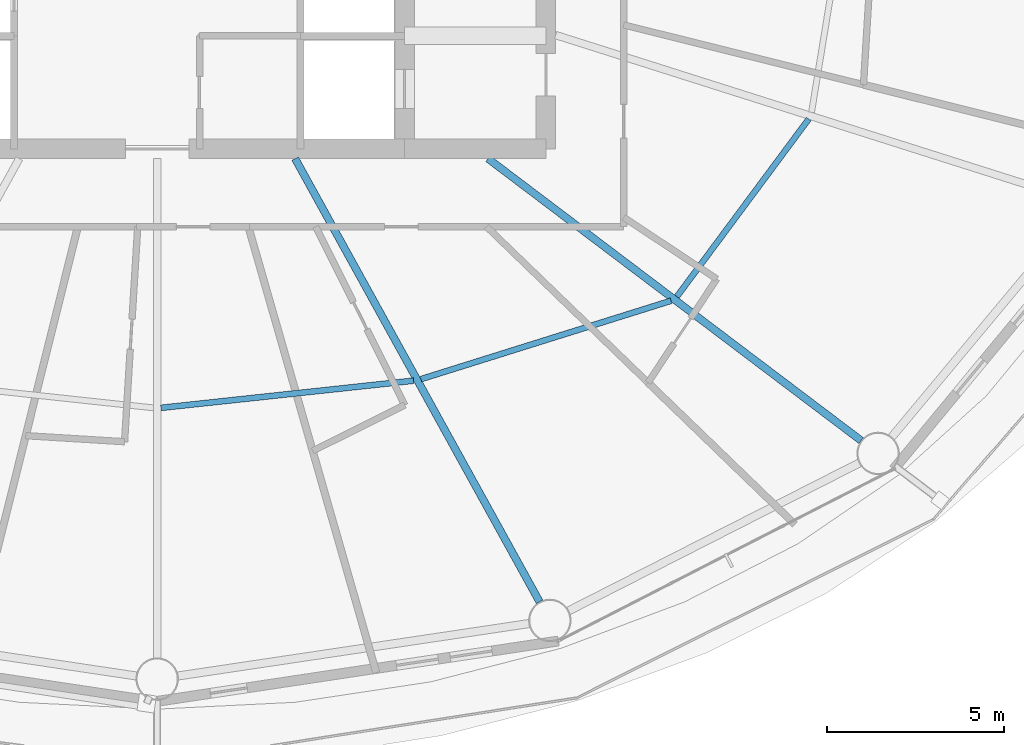
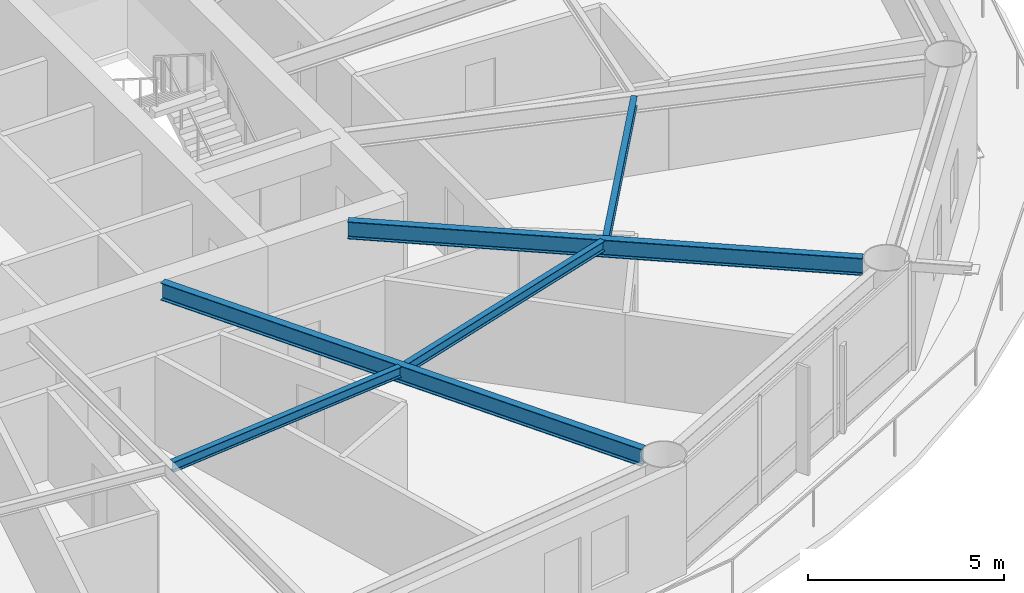
# One storey, part 5 of 24: 5 beams.
"""IFC4 building model written with IfcOpenShell, lengths in metres."""

from ifc_helpers import new_model, si_unit, direction, frame, origin, origin_2d, place, context, subcontext, project, spatial, i_section, extrude, material, material_profile, profile_set, type_object, element, save


model = new_model("IFC4")

# Units and contexts
model_context = context("Model", 3, precision=1e-05, world=origin(), true_north=direction((0.0, 1.0)))
body_context = subcontext(model_context, "Body", "Model", "MODEL_VIEW")
ifc_project = project(units=[si_unit("LENGTHUNIT", "METRE"), si_unit("AREAUNIT", "SQUARE_METRE"), si_unit("VOLUMEUNIT", "CUBIC_METRE"), si_unit("PLANEANGLEUNIT", "RADIAN"), si_unit("MASSUNIT", "GRAM", prefix="KILO")], contexts=[model_context])

# Site, building, storey
site_placement = place(None, origin())
site = spatial("IfcSite", under=ifc_project, at=site_placement, CompositionType="ELEMENT")
building_placement = place(site_placement, origin())
building = spatial("IfcBuilding", under=site, at=building_placement, Name="Sarneth Arch Tower", CompositionType="ELEMENT")
storey_placement = place(building_placement, frame((0.0, 0.0, 98.39990234375)))
storey = spatial("IfcBuildingStorey", under=building, at=storey_placement, Name="L24", CompositionType="ELEMENT", Elevation=98.39990234375)

# Beams
ifc_material_1 = material(Name="Steel S355", Category="steel")
ifc_material_profile_1 = material_profile(ifc_material_1, i_section(OverallWidth=0.1669921875, OverallDepth=0.31689453125, WebThickness=0.007568359375, FlangeThickness=0.01318359375, FilletRadius=0.012939453125, at=origin_2d()), Name="W310x52")
ifc_profile_set_1 = profile_set([ifc_material_profile_1], Name="Steel S355")
beam_type_1 = type_object("IfcBeamType", Name="BM-JOIST-310B", PredefinedType="JOIST", material=ifc_profile_set_1)
beam_1_placement = place(storey_placement, frame((48.10498046875, 27.873779296875, 3.2216796875), z_axis=(0.994257420028, 0.107014871487, 0.0), x_axis=(-0.107014871487, 0.994257420028, 0.0)))
element("IfcBeam", 1, at=beam_1_placement, inside=storey, type_object=beam_type_1, Name="L24 Secondary floor joist 13", PredefinedType="JOIST", context=body_context, shape_type="SweptSolid", body=[
    extrude(i_section(OverallWidth=0.1669921875, OverallDepth=0.31689453125, WebThickness=0.007568359375, FlangeThickness=0.01318359375, FilletRadius=0.012939453125, at=origin_2d()), origin(), (0.0, 0.0, 1.0), 7.193115234375),
])
beam_2_placement = place(storey_placement, frame((55.46240234375, 28.6865234375, 3.2216796875), z_axis=(0.954245982384, 0.299022750146, 0.0), x_axis=(-0.299022750146, 0.954245982384, 0.0)))
element("IfcBeam", 2, at=beam_2_placement, inside=storey, type_object=beam_type_1, Name="L24 Secondary floor joist 14", PredefinedType="JOIST", context=body_context, shape_type="SweptSolid", body=[
    extrude(i_section(OverallWidth=0.1669921875, OverallDepth=0.31689453125, WebThickness=0.007568359375, FlangeThickness=0.01318359375, FilletRadius=0.012939453125, at=origin_2d()), origin(), (0.0, 0.0, 1.0), 7.416748046875),
])
beam_3_placement = place(storey_placement, frame((62.703369140625, 31.0205078125, 3.2216796875), z_axis=(0.596098474255, 0.802911333206, 0.0), x_axis=(-0.802911333206, 0.596098474255, 0.0)))
element("IfcBeam", 3, at=beam_3_placement, inside=storey, type_object=beam_type_1, Name="L24 Secondary floor joist 15", PredefinedType="JOIST", context=body_context, shape_type="SweptSolid", body=[
    extrude(i_section(OverallWidth=0.1669921875, OverallDepth=0.31689453125, WebThickness=0.007568359375, FlangeThickness=0.01318359375, FilletRadius=0.012939453125, at=origin_2d()), origin(), (0.0, 0.0, 1.0), 6.259033203125),
])
ifc_material_2 = material(Name="Steel S355", Category="steel")
ifc_material_profile_2 = material_profile(ifc_material_2, i_section(OverallWidth=0.2109375, OverallDepth=0.5390625, WebThickness=0.01171875, FlangeThickness=0.018798828125, FilletRadius=0.01806640625, at=origin_2d()), Name="W530x109")
ifc_profile_set_2 = profile_set([ifc_material_profile_2], Name="Steel S355")
beam_type_2 = type_object("IfcBeamType", Name="BM-RAD-530B", PredefinedType="BEAM", material=ifc_profile_set_2)
beam_4_placement = place(storey_placement, frame((51.90283203125, 34.925048828125, 3.110595703125), z_axis=(0.483021011336, -0.875608761153, 0.0), x_axis=(0.875608761153, 0.483021011336, 0.0)))
element("IfcBeam", 4, at=beam_4_placement, inside=storey, type_object=beam_type_2, Name="L24 Radial floor girder 14", PredefinedType="BEAM", context=body_context, shape_type="SweptSolid", body=[
    extrude(i_section(OverallWidth=0.2109375, OverallDepth=0.5390625, WebThickness=0.01171875, FlangeThickness=0.018798828125, FilletRadius=0.01806640625, at=origin_2d()), origin(), (0.0, 0.0, 1.0), 14.32177734375),
])
beam_5_placement = place(storey_placement, frame((57.36181640625, 34.925048828125, 3.110595703125), z_axis=(0.797802835234, -0.602918432371, 0.0), x_axis=(0.602918432371, 0.797802835234, 0.0)))
element("IfcBeam", 5, at=beam_5_placement, inside=storey, type_object=beam_type_2, Name="L24 Radial floor girder 15", PredefinedType="BEAM", context=body_context, shape_type="SweptSolid", body=[
    extrude(i_section(OverallWidth=0.2109375, OverallDepth=0.5390625, WebThickness=0.01171875, FlangeThickness=0.018798828125, FilletRadius=0.01806640625, at=origin_2d()), origin(), (0.0, 0.0, 1.0), 13.232666015625),
])

save(model, "model.ifc")
